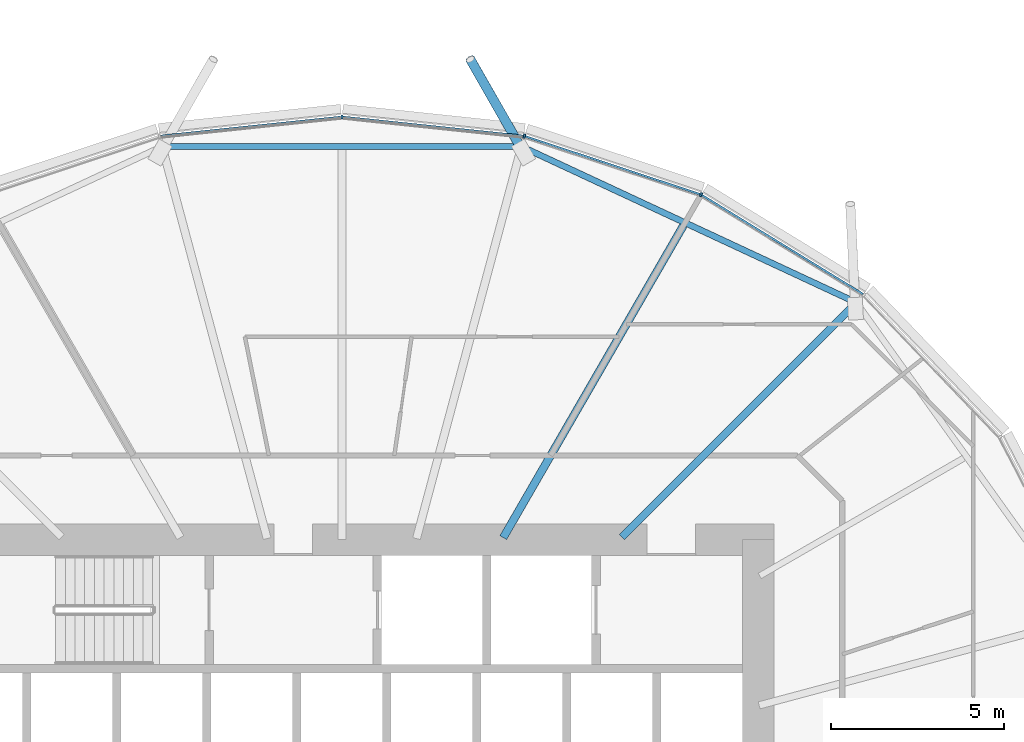
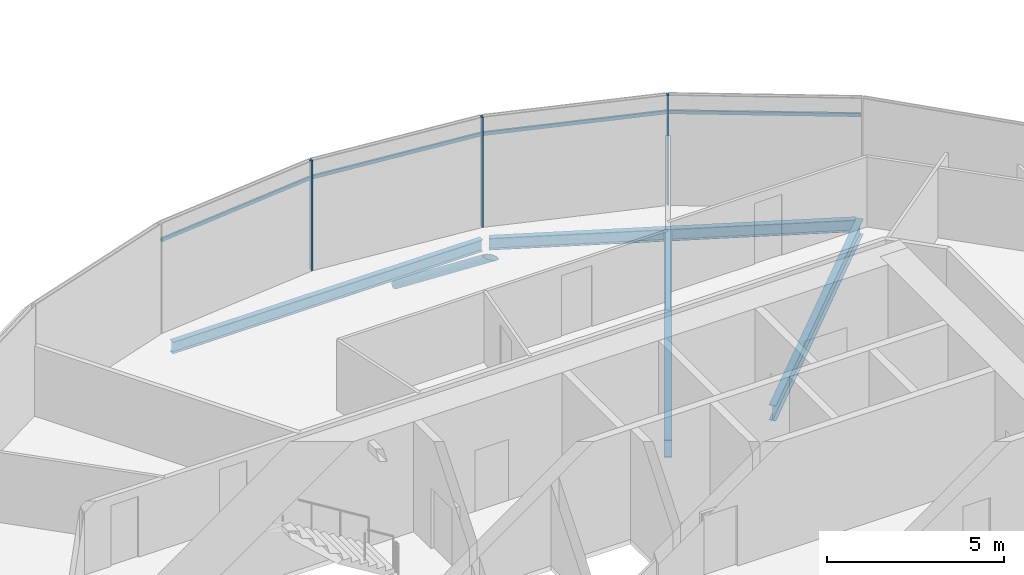
# One storey, part 11 of 38: 8 members, 4 beams, 1 element without a shape of its own.
"""IFC4 building model written with IfcOpenShell, lengths in metres."""

from ifc_helpers import new_model, si_unit, direction, frame, origin, origin_2d, place, context, subcontext, project, spatial, rectangle, hollow_circle, i_section, extrude, clip, halfspace, material, material_profile, profile_set, type_object, element, aggregate, save


model = new_model("IFC4")

# Units and contexts
model_context = context("Model", 3, precision=1e-05, world=origin(), true_north=direction((0.0, 1.0)))
body_context = subcontext(model_context, "Body", "Model", "MODEL_VIEW")
ifc_project = project(units=[si_unit("LENGTHUNIT", "METRE"), si_unit("AREAUNIT", "SQUARE_METRE"), si_unit("VOLUMEUNIT", "CUBIC_METRE"), si_unit("PLANEANGLEUNIT", "RADIAN"), si_unit("MASSUNIT", "GRAM", prefix="KILO")], contexts=[model_context])

# Site, building, storey
site_placement = place(None, origin())
site = spatial("IfcSite", under=ifc_project, at=site_placement, CompositionType="ELEMENT")
building_placement = place(site_placement, origin())
building = spatial("IfcBuilding", under=site, at=building_placement, Name="Rimbun Link Towers", CompositionType="ELEMENT")
storey_placement = place(building_placement, frame((0.0, 0.0, 49.0)))
storey = spatial("IfcBuildingStorey", under=building, at=storey_placement, Name="L11", CompositionType="ELEMENT", Elevation=49.0)

# Curtain wall, members
ifc_material_1 = material(Name="Aluminium 6063-T6 and low-iron glass", Category="aluminium")
curtain_wall_type = type_object("IfcCurtainWallType", Name="CW1 unitised vision wall", PredefinedType="NOTDEFINED", material=ifc_material_1)
curtain_wall_placement = place(storey_placement, origin())
curtain_wall = element("IfcCurtainWall", 1, at=curtain_wall_placement, inside=storey, type_object=curtain_wall_type, Name="CW1 L11 T1", PredefinedType="NOTDEFINED")
ifc_material_2 = material(Name="Aluminium 6063-T6", Category="aluminium")
ifc_material_profile_1 = material_profile(ifc_material_2, rectangle(XDim=0.1201171875, YDim=0.06005859375, at=origin_2d()), Name="MULLION 60X120")
ifc_profile_set_1 = profile_set([ifc_material_profile_1], Name="Aluminium 6063-T6")
member_type_1 = type_object("IfcMemberType", Name="CW1 mullion 60X120", PredefinedType="MULLION", material=ifc_profile_set_1)
member_1_placement = place(storey_placement, frame((-21.396240234375, 17.944091796875, 0.0), z_axis=(0.0, 0.0, 1.0), x_axis=(0.421700623213, 0.906735123607, 0.0)))
member_1 = element("IfcMember", 2, at=member_1_placement, type_object=member_type_1, Name="CW1 mullion", PredefinedType="MULLION", context=body_context, shape_type="SweptSolid", body=[
    extrude(rectangle(XDim=0.1201171875, YDim=0.06005859375, at=origin_2d()), origin(), (0.0, 0.0, 1.0), 3.800048828125),
])
member_2_placement = place(storey_placement, frame((-26.492431640625, 19.6328125, 0.0), z_axis=(0.0, 0.0, 1.0), x_axis=(0.210867877102, 0.977514571966, 0.0)))
member_2 = element("IfcMember", 3, at=member_2_placement, type_object=member_type_1, Name="CW1 mullion", PredefinedType="MULLION", context=body_context, shape_type="SweptSolid", body=[
    extrude(rectangle(XDim=0.1201171875, YDim=0.06005859375, at=origin_2d()), origin(), (0.0, 0.0, 1.0), 3.800048828125),
])
member_3_placement = place(storey_placement, frame((-31.75, 20.1865234375, 0.0), z_axis=(0.0, 0.0, 1.0), x_axis=(0.0, 1.0, 0.0)))
member_3 = element("IfcMember", 4, at=member_3_placement, type_object=member_type_1, Name="CW1 mullion", PredefinedType="MULLION", context=body_context, shape_type="SweptSolid", body=[
    extrude(rectangle(XDim=0.1201171875, YDim=0.06005859375, at=origin_2d()), origin(), (0.0, 0.0, 1.0), 3.800048828125),
])
ifc_material_3 = material(Name="Aluminium 6063-T6", Category="aluminium")
ifc_material_profile_2 = material_profile(ifc_material_3, rectangle(XDim=0.06005859375, YDim=0.1201171875, at=origin_2d()), Name="TRANSOM 60X120")
ifc_profile_set_2 = profile_set([ifc_material_profile_2], Name="Aluminium 6063-T6")
member_type_2 = type_object("IfcMemberType", Name="CW1 transom 60X120", PredefinedType="USERDEFINED", material=ifc_profile_set_2)
member_4_placement = place(storey_placement, frame((-21.365478515625, 17.92333984375, 3.199951171875), z_axis=(0.852186680958, -0.523237862543, 0.0), x_axis=(0.523237862543, 0.852186680958, 0.0)))
member_4 = element("IfcMember", 5, at=member_4_placement, type_object=member_type_2, Name="CW1 transom", ObjectType="TRANSOM", PredefinedType="USERDEFINED", context=body_context, shape_type="SweptSolid", body=[
    extrude(rectangle(XDim=0.06005859375, YDim=0.1201171875, at=origin_2d()), origin(), (0.0, 0.0, 1.0), 5.437255859375),
])
member_5_placement = place(storey_placement, frame((-26.45849609375, 19.619873046875, 3.199951171875), z_axis=(0.949239655891, -0.314553772324, 0.0), x_axis=(0.314553772324, 0.949239655891, 0.0)))
member_5 = element("IfcMember", 6, at=member_5_placement, type_object=member_type_2, Name="CW1 transom", ObjectType="TRANSOM", PredefinedType="USERDEFINED", context=body_context, shape_type="SweptSolid", body=[
    extrude(rectangle(XDim=0.06005859375, YDim=0.1201171875, at=origin_2d()), origin(), (0.0, 0.0, 1.0), 5.295654296875),
])
member_6_placement = place(storey_placement, frame((-31.714111328125, 20.18115234375, 3.199951171875), z_axis=(0.994499036782, -0.104745719915, 0.0), x_axis=(0.104745719915, 0.994499036782, 0.0)))
member_6 = element("IfcMember", 7, at=member_6_placement, type_object=member_type_2, Name="CW1 transom", ObjectType="TRANSOM", PredefinedType="USERDEFINED", context=body_context, shape_type="SweptSolid", body=[
    extrude(rectangle(XDim=0.06005859375, YDim=0.1201171875, at=origin_2d()), origin(), (0.0, 0.0, 1.0), 5.2138671875),
])
member_7_placement = place(storey_placement, frame((-36.97119140625, 19.635009765625, 3.199951171875), z_axis=(0.994499036782, 0.104745719915, 0.0), x_axis=(-0.104745719915, 0.994499036782, 0.0)))
member_7 = element("IfcMember", 8, at=member_7_placement, type_object=member_type_2, Name="CW1 transom", ObjectType="TRANSOM", PredefinedType="USERDEFINED", context=body_context, shape_type="SweptSolid", body=[
    extrude(rectangle(XDim=0.06005859375, YDim=0.1201171875, at=origin_2d()), origin(), (0.0, 0.0, 1.0), 5.2138671875),
])
aggregate(curtain_wall, [member_1, member_2, member_3, member_4, member_5, member_6, member_7])

# Member
ifc_material_4 = material(Name="Steel S355J2H", Category="steel")
ifc_material_profile_3 = material_profile(ifc_material_4, hollow_circle(Radius=0.136474609375, WallThickness=0.012451171875, at=origin_2d()), Name="CHS 273x12.5")
ifc_profile_set_3 = profile_set([ifc_material_profile_3], Name="Steel S355J2H")
member_type_3 = type_object("IfcMemberType", Name="Floor edge link CHS 273x12.5", PredefinedType="BRACE", material=ifc_profile_set_3)
member_8_placement = place(storey_placement, frame((-26.58349609375, 19.281494140625, -0.877197265625), z_axis=(-0.415324590557, 0.727059421065, -0.546708407397), x_axis=(-0.868314095678, -0.496014749021, 0.0)))
element("IfcMember", 9, at=member_8_placement, inside=storey, type_object=member_type_3, Name="Floor edge link T1 L11 05", PredefinedType="BRACE", context=body_context, shape_type="Clipping", body=[
    clip(extrude(hollow_circle(Radius=0.136474609375, WallThickness=0.012451171875, at=origin_2d()), frame((0.0, 0.0, -0.436279296875)), (0.0, 0.0, 1.0), 3.976318359375), halfspace(frame((0.0, 0.0, -0.2060546875), z_axis=(0.0, 0.837323066254, -0.546708407397)), False)),
])

# Beams
ifc_material_5 = material(Name="Steel S355J2", Category="steel")
ifc_material_profile_4 = material_profile(ifc_material_5, i_section(OverallWidth=0.177978515625, OverallDepth=0.406494140625, WebThickness=0.0078125, FlangeThickness=0.0126953125, at=origin_2d()), Name="UB 406x178x60")
ifc_profile_set_4 = profile_set([ifc_material_profile_4], Name="Steel S355J2")
beam_type_1 = type_object("IfcBeamType", Name="UB 406x178x60", PredefinedType="BEAM", material=ifc_profile_set_4)
beam_1_placement = place(storey_placement, frame((-17.0205078125, 14.87890625, -0.36328125), z_axis=(-0.906398512067, 0.422423646738, 0.0), x_axis=(-0.422423646738, -0.906398512067, 0.0)))
element("IfcBeam", 10, at=beam_1_placement, inside=storey, type_object=beam_type_1, Name="Edge beam T1 L11 03-05", PredefinedType="BEAM", context=body_context, shape_type="SweptSolid", body=[
    extrude(i_section(OverallWidth=0.177978515625, OverallDepth=0.406494140625, WebThickness=0.0078125, FlangeThickness=0.0126953125, at=origin_2d()), origin(), (0.0, 0.0, 1.0), 10.419921875),
])
beam_2_placement = place(storey_placement, frame((-26.689453125, 19.32958984375, -0.36328125), z_axis=(-1.0, 0.0, 0.0), x_axis=(0.0, -1.0, 0.0)))
element("IfcBeam", 11, at=beam_2_placement, inside=storey, type_object=beam_type_1, Name="Edge beam T1 L11 05-07", PredefinedType="BEAM", context=body_context, shape_type="SweptSolid", body=[
    extrude(i_section(OverallWidth=0.177978515625, OverallDepth=0.406494140625, WebThickness=0.0078125, FlangeThickness=0.0126953125, at=origin_2d()), origin(), (0.0, 0.0, 1.0), 10.12109375),
])
ifc_material_6 = material(Name="Steel S355J2", Category="steel")
ifc_material_profile_5 = material_profile(ifc_material_6, i_section(OverallWidth=0.209228515625, OverallDepth=0.533203125, WebThickness=0.010009765625, FlangeThickness=0.015625, at=origin_2d()), Name="UB 533x210x92")
ifc_profile_set_5 = profile_set([ifc_material_profile_5], Name="Steel S355J2")
beam_type_2 = type_object("IfcBeamType", Name="UB 533x210x92", PredefinedType="BEAM", material=ifc_profile_set_5)
beam_3_placement = place(storey_placement, frame((-23.67529296875, 8.07470703125, -0.426513671875), z_axis=(0.707106781187, 0.707106781187, 0.0), x_axis=(-0.707106781187, 0.707106781187, 0.0)))
element("IfcBeam", 12, at=beam_3_placement, inside=storey, type_object=beam_type_2, Name="Radial beam T1 L11 03", PredefinedType="BEAM", context=body_context, shape_type="SweptSolid", body=[
    extrude(i_section(OverallWidth=0.209228515625, OverallDepth=0.533203125, WebThickness=0.010009765625, FlangeThickness=0.015625, at=origin_2d()), origin(), (0.0, 0.0, 1.0), 9.55517578125),
])
ifc_material_7 = material(Name="Steel S355J2", Category="steel")
ifc_material_profile_6 = material_profile(ifc_material_7, i_section(OverallWidth=0.2275390625, OverallDepth=0.6025390625, WebThickness=0.010498046875, FlangeThickness=0.014892578125, at=origin_2d()), Name="UB 610x229x101")
ifc_profile_set_6 = profile_set([ifc_material_profile_6], Name="Steel S355J2")
beam_type_3 = type_object("IfcBeamType", Name="UB 610x229x101", PredefinedType="BEAM", material=ifc_profile_set_6)
beam_4_placement = place(storey_placement, frame((-27.097900390625, 8.057861328125, -0.461181640625), z_axis=(0.499998423118, 0.866026314196, 0.0), x_axis=(-0.866026314196, 0.499998423118, 0.0)))
element("IfcBeam", 13, at=beam_4_placement, inside=storey, type_object=beam_type_3, Name="Radial beam T1 L11 04", PredefinedType="BEAM", context=body_context, shape_type="SweptSolid", body=[
    extrude(i_section(OverallWidth=0.2275390625, OverallDepth=0.6025390625, WebThickness=0.010498046875, FlangeThickness=0.014892578125, at=origin_2d()), origin(), (0.0, 0.0, 1.0), 10.38916015625),
])

save(model, "model.ifc")
